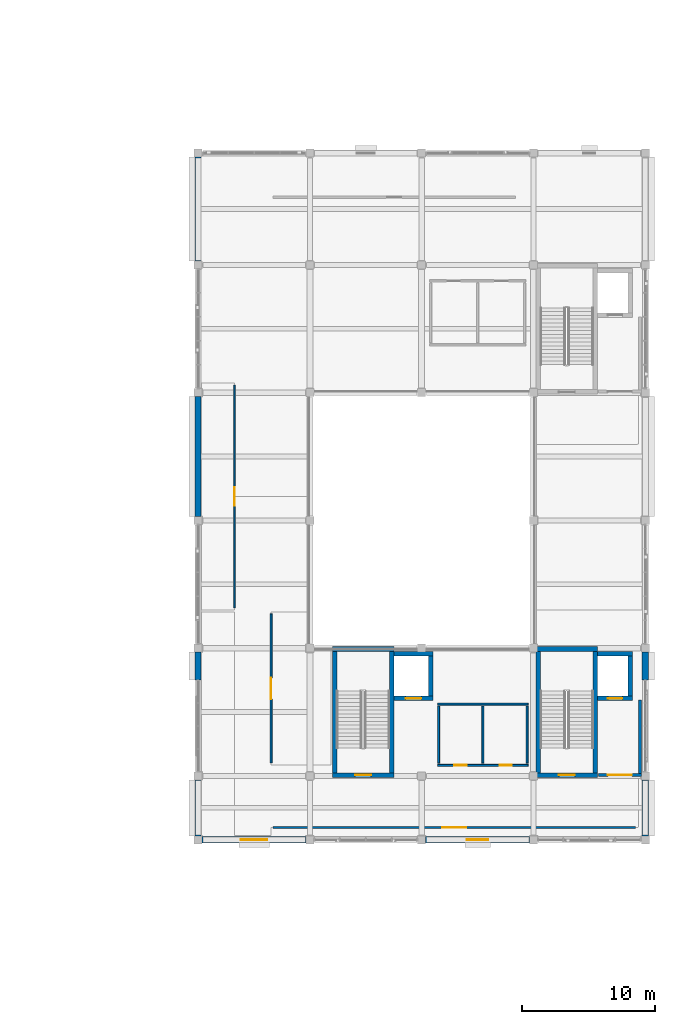
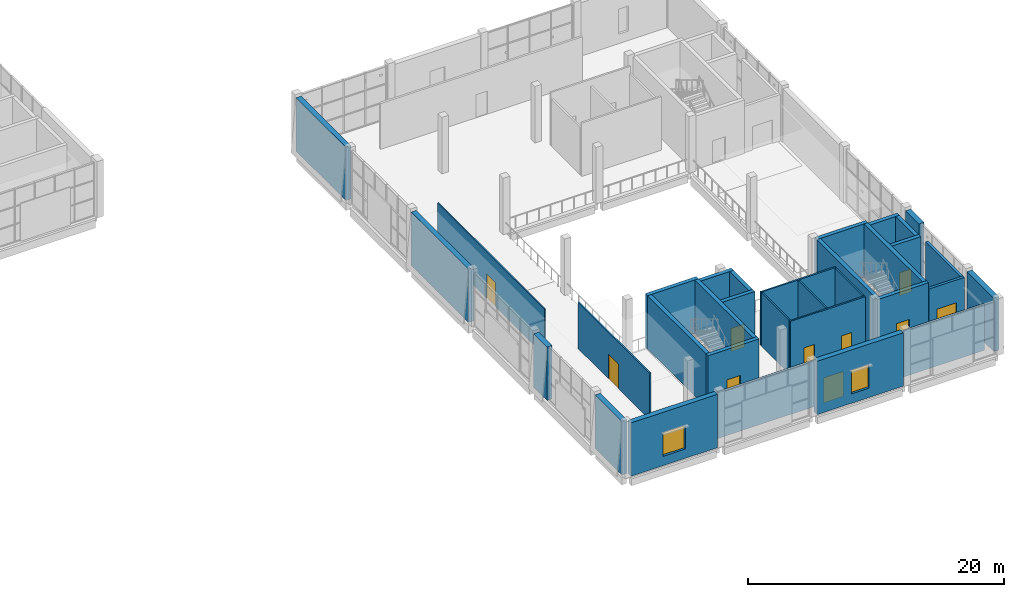
# One storey, part 43 of 57: 32 walls, 10 doors, 2 windows, 12 openings.
"""IFC4 building model written with IfcOpenShell, lengths in metres."""

from ifc_helpers import new_model, si_unit, direction, frame, frame_2d, origin, place, context, subcontext, project, spatial, rectangle, extrude, material, layer, layer_set, type_object, element, fill, save


model = new_model("IFC4")

# Units and contexts
model_context = context("Model", 3, precision=1e-05, world=origin(), true_north=direction((0.0, 1.0)))
body_context = subcontext(model_context, "Body", "Model", "MODEL_VIEW")
ifc_project = project(units=[si_unit("LENGTHUNIT", "METRE"), si_unit("AREAUNIT", "SQUARE_METRE"), si_unit("VOLUMEUNIT", "CUBIC_METRE"), si_unit("PLANEANGLEUNIT", "RADIAN"), si_unit("MASSUNIT", "GRAM", prefix="KILO")], contexts=[model_context])

# Site, building, storey
site_placement = place(None, origin())
site = spatial("IfcSite", under=ifc_project, at=site_placement, CompositionType="ELEMENT")
building_placement = place(site_placement, origin())
building = spatial("IfcBuilding", under=site, at=building_placement, Name="Shalvenor Court Art Gallery", CompositionType="ELEMENT")
storey_placement = place(building_placement, frame((0.0, 0.0, 16.800048828125)))
storey = spatial("IfcBuildingStorey", under=building, at=storey_placement, Name="L03", CompositionType="ELEMENT", Elevation=16.800048828125)

# Walls
ifc_material_1 = material(Name="Concrete C40/50", Category="concrete")
ifc_layer_1 = layer(ifc_material_1, 0.35009765625, Name="Concrete C40/50")
ifc_layer_set_1 = layer_set([ifc_layer_1], Name="Concrete C40/50")
wall_type_1 = type_object("IfcWallType", Name="CW-W1", PredefinedType="SHEAR", material=ifc_layer_set_1)
wall_1_placement = place(storey_placement, frame((168.18798828125, 59.93701171875, 0.0), z_axis=(0.0, 0.0, 1.0), x_axis=(1.0, 0.0, 0.0)))
element("IfcWall", 1, at=wall_1_placement, inside=storey, type_object=wall_type_1, Name="L03 C2 Stair Core Shear Wall N", PredefinedType="SHEAR", context=body_context, shape_type="SweptSolid", body=[
    extrude(rectangle(XDim=4.6240234375, YDim=0.35009765625, at=frame_2d((2.31201171875, 0.0))), origin(), (0.0, 0.0, 1.0), 5.099853515625),
])
wall_2_placement = place(storey_placement, frame((172.636962890625, 59.761962890625, 0.0), z_axis=(0.0, 0.0, 1.0), x_axis=(0.0, -1.0, 0.0)))
element("IfcWall", 2, at=wall_2_placement, inside=storey, type_object=wall_type_1, Name="L03 C2 Stair Core Shear Wall E", PredefinedType="SHEAR", context=body_context, shape_type="SweptSolid", body=[
    extrude(rectangle(XDim=9.1240234375, YDim=0.35009765625, at=frame_2d((4.56201171875, 0.0))), origin(), (0.0, 0.0, 1.0), 5.099853515625),
])

# Wall, opening, door
wall_3_placement = place(storey_placement, frame((172.81201171875, 50.462890625, 0.0), z_axis=(0.0, 0.0, 1.0), x_axis=(-1.0, 0.0, 0.0)))
wall_3 = element("IfcWall", 3, at=wall_3_placement, inside=storey, type_object=wall_type_1, Name="L03 C2 Stair Core Shear Wall S", PredefinedType="SHEAR", context=body_context, shape_type="SweptSolid", body=[
    extrude(rectangle(XDim=4.6240234375, YDim=0.35009765625, at=frame_2d((2.31201171875, 0.0))), origin(), (0.0, 0.0, 1.0), 5.099853515625),
])
opening_1_placement = place(wall_3_placement, frame((1.7119140625, 0.0, 0.0)))
opening_1 = element("IfcOpeningElement", 4, at=opening_1_placement, cuts=wall_3, Name="Opening FD-01", PredefinedType="OPENING", context=body_context, shape_type="SweptSolid", body=[
    extrude(rectangle(XDim=1.199951171875, YDim=2.199951171875, at=frame_2d((0.60009765625, 1.10009765625))), frame((0.0, 0.18505859375, 0.0), z_axis=(0.0, -1.0, 0.0), x_axis=(1.0, 0.0, 0.0)), (0.0, 0.0, 1.0), 0.3701171875),
])
ifc_material_2 = material(Name="Fire-rated steel stair doorset", Category="steel")
door_type_1 = type_object("IfcDoorType", Name="FD-01", OperationType="NOTDEFINED", PredefinedType="DOOR", material=ifc_material_2)
door_1_placement = place(opening_1_placement, origin())
door_1 = element("IfcDoor", 5, at=door_1_placement, inside=storey, type_object=door_type_1, Name="DR-ST-L03-C2 L03 ST-02 Fire Stair Door", OperationType="SINGLE_SWING_LEFT", OverallHeight=2.199951171875, OverallWidth=1.199951171875, PredefinedType="DOOR", context=body_context, shape_type="SweptSolid", body=[
    extrude(rectangle(XDim=1.199951171875, YDim=2.199951171875, at=frame_2d((0.60009765625, 1.10009765625))), frame((0.0, 0.02490234375, 0.0), z_axis=(0.0, -1.0, 0.0), x_axis=(1.0, 0.0, 0.0)), (0.0, 0.0, 1.0), 0.050048828125),
])
fill(opening_1, door_1)

# Walls
wall_4_placement = place(storey_placement, frame((168.363037109375, 50.637939453125, 0.0), z_axis=(0.0, 0.0, 1.0), x_axis=(0.0, 1.0, 0.0)))
element("IfcWall", 6, at=wall_4_placement, inside=storey, type_object=wall_type_1, Name="L03 C2 Stair Core Shear Wall W", PredefinedType="SHEAR", context=body_context, shape_type="SweptSolid", body=[
    extrude(rectangle(XDim=9.1240234375, YDim=0.35009765625, at=frame_2d((4.56201171875, 0.0))), origin(), (0.0, 0.0, 1.0), 5.099853515625),
])
wall_5_placement = place(storey_placement, frame((172.81201171875, 59.574951171875, 0.0), z_axis=(0.0, 0.0, 1.0), x_axis=(1.0, 0.0, 0.0)))
element("IfcWall", 7, at=wall_5_placement, inside=storey, type_object=wall_type_1, Name="L03 FL-02 Lift Shaft Wall N", PredefinedType="SHEAR", context=body_context, shape_type="SweptSolid", body=[
    extrude(rectangle(XDim=2.637939453125, YDim=0.35009765625, at=frame_2d((1.31884765625, 0.0))), origin(), (0.0, 0.0, 1.0), 5.099853515625),
])
wall_6_placement = place(storey_placement, frame((175.27490234375, 59.39990234375, 0.0), z_axis=(0.0, 0.0, 1.0), x_axis=(0.0, -1.0, 0.0)))
element("IfcWall", 8, at=wall_6_placement, inside=storey, type_object=wall_type_1, Name="L03 FL-02 Lift Shaft Wall E", PredefinedType="SHEAR", context=body_context, shape_type="SweptSolid", body=[
    extrude(rectangle(XDim=3.0, YDim=0.35009765625, at=frame_2d((1.5, 0.0))), origin(), (0.0, 0.0, 1.0), 5.099853515625),
])

# Wall, opening, door
wall_7_placement = place(storey_placement, frame((175.449951171875, 56.22509765625, 0.0), z_axis=(0.0, 0.0, 1.0), x_axis=(-1.0, 0.0, 0.0)))
wall_7 = element("IfcWall", 9, at=wall_7_placement, inside=storey, type_object=wall_type_1, Name="L03 FL-02 Lift Shaft Wall S", PredefinedType="SHEAR", context=body_context, shape_type="SweptSolid", body=[
    extrude(rectangle(XDim=2.637939453125, YDim=0.35009765625, at=frame_2d((1.31884765625, 0.0))), origin(), (0.0, 0.0, 1.0), 5.099853515625),
])
opening_2_placement = place(wall_7_placement, frame((0.76904296875, 0.0, 0.0)))
opening_2 = element("IfcOpeningElement", 10, at=opening_2_placement, cuts=wall_7, Name="Opening LD-01", PredefinedType="OPENING", context=body_context, shape_type="SweptSolid", body=[
    extrude(rectangle(XDim=1.10009765625, YDim=2.199951171875, at=frame_2d((0.550048828125, 1.10009765625))), frame((0.0, 0.18505859375, 0.0), z_axis=(0.0, -1.0, 0.0), x_axis=(1.0, 0.0, 0.0)), (0.0, 0.0, 1.0), 0.3701171875),
])
ifc_material_3 = material(Name="Stainless steel firefighting lift sliding landing door", Category="steel")
door_type_2 = type_object("IfcDoorType", Name="LD-01", OperationType="NOTDEFINED", PredefinedType="DOOR", material=ifc_material_3)
door_2_placement = place(opening_2_placement, origin())
door_2 = element("IfcDoor", 11, at=door_2_placement, inside=storey, type_object=door_type_2, Name="DR-LD-L03-FL-02 L03 FL-02 Lift Landing Sliding Door", OperationType="DOUBLE_DOOR_SLIDING", OverallHeight=2.199951171875, OverallWidth=1.10009765625, PredefinedType="DOOR", context=body_context, shape_type="SweptSolid", body=[
    extrude(rectangle(XDim=1.10009765625, YDim=2.199951171875, at=frame_2d((0.550048828125, 1.10009765625))), frame((0.0, 0.02490234375, 0.0), z_axis=(0.0, -1.0, 0.0), x_axis=(1.0, 0.0, 0.0)), (0.0, 0.0, 1.0), 0.050048828125),
])
fill(opening_2, door_2)

# Walls
wall_8_placement = place(storey_placement, frame((152.887939453125, 59.93701171875, 0.0), z_axis=(0.0, 0.0, 1.0), x_axis=(1.0, 0.0, 0.0)))
element("IfcWall", 12, at=wall_8_placement, inside=storey, type_object=wall_type_1, Name="L03 C3 Stair Core Shear Wall N", PredefinedType="SHEAR", context=body_context, shape_type="SweptSolid", body=[
    extrude(rectangle(XDim=4.6240234375, YDim=0.35009765625, at=frame_2d((2.31201171875, 0.0))), origin(), (0.0, 0.0, 1.0), 5.099853515625),
])
wall_9_placement = place(storey_placement, frame((157.3369140625, 59.761962890625, 0.0), z_axis=(0.0, 0.0, 1.0), x_axis=(0.0, -1.0, 0.0)))
element("IfcWall", 13, at=wall_9_placement, inside=storey, type_object=wall_type_1, Name="L03 C3 Stair Core Shear Wall E", PredefinedType="SHEAR", context=body_context, shape_type="SweptSolid", body=[
    extrude(rectangle(XDim=9.1240234375, YDim=0.35009765625, at=frame_2d((4.56201171875, 0.0))), origin(), (0.0, 0.0, 1.0), 5.099853515625),
])

# Wall, opening, door
wall_10_placement = place(storey_placement, frame((157.511962890625, 50.462890625, 0.0), z_axis=(0.0, 0.0, 1.0), x_axis=(-1.0, 0.0, 0.0)))
wall_10 = element("IfcWall", 14, at=wall_10_placement, inside=storey, type_object=wall_type_1, Name="L03 C3 Stair Core Shear Wall S", PredefinedType="SHEAR", context=body_context, shape_type="SweptSolid", body=[
    extrude(rectangle(XDim=4.6240234375, YDim=0.35009765625, at=frame_2d((2.31201171875, 0.0))), origin(), (0.0, 0.0, 1.0), 5.099853515625),
])
opening_3_placement = place(wall_10_placement, frame((1.7119140625, 0.0, 0.0)))
opening_3 = element("IfcOpeningElement", 15, at=opening_3_placement, cuts=wall_10, Name="Opening FD-01", PredefinedType="OPENING", context=body_context, shape_type="SweptSolid", body=[
    extrude(rectangle(XDim=1.199951171875, YDim=2.199951171875, at=frame_2d((0.60009765625, 1.10009765625))), frame((0.0, 0.18505859375, 0.0), z_axis=(0.0, -1.0, 0.0), x_axis=(1.0, 0.0, 0.0)), (0.0, 0.0, 1.0), 0.3701171875),
])
door_3_placement = place(opening_3_placement, origin())
door_3 = element("IfcDoor", 16, at=door_3_placement, inside=storey, type_object=door_type_1, Name="DR-ST-L03-C3 L03 ST-03 Fire Stair Door", OperationType="SINGLE_SWING_RIGHT", OverallHeight=2.199951171875, OverallWidth=1.199951171875, PredefinedType="DOOR", context=body_context, shape_type="SweptSolid", body=[
    extrude(rectangle(XDim=1.199951171875, YDim=2.199951171875, at=frame_2d((0.60009765625, 1.10009765625))), frame((0.0, 0.02490234375, 0.0), z_axis=(0.0, -1.0, 0.0), x_axis=(1.0, 0.0, 0.0)), (0.0, 0.0, 1.0), 0.050048828125),
])
fill(opening_3, door_3)

# Walls
wall_11_placement = place(storey_placement, frame((153.06298828125, 50.637939453125, 0.0), z_axis=(0.0, 0.0, 1.0), x_axis=(0.0, 1.0, 0.0)))
element("IfcWall", 17, at=wall_11_placement, inside=storey, type_object=wall_type_1, Name="L03 C3 Stair Core Shear Wall W", PredefinedType="SHEAR", context=body_context, shape_type="SweptSolid", body=[
    extrude(rectangle(XDim=9.1240234375, YDim=0.35009765625, at=frame_2d((4.56201171875, 0.0))), origin(), (0.0, 0.0, 1.0), 5.099853515625),
])
wall_12_placement = place(storey_placement, frame((157.511962890625, 59.574951171875, 0.0), z_axis=(0.0, 0.0, 1.0), x_axis=(1.0, 0.0, 0.0)))
element("IfcWall", 18, at=wall_12_placement, inside=storey, type_object=wall_type_1, Name="L03 PL-01 Lift Shaft Wall N", PredefinedType="SHEAR", context=body_context, shape_type="SweptSolid", body=[
    extrude(rectangle(XDim=2.93798828125, YDim=0.35009765625, at=frame_2d((1.468994140625, 0.0))), origin(), (0.0, 0.0, 1.0), 5.099853515625),
])
wall_13_placement = place(storey_placement, frame((160.27490234375, 59.39990234375, 0.0), z_axis=(0.0, 0.0, 1.0), x_axis=(0.0, -1.0, 0.0)))
element("IfcWall", 19, at=wall_13_placement, inside=storey, type_object=wall_type_1, Name="L03 PL-01 Lift Shaft Wall E", PredefinedType="SHEAR", context=body_context, shape_type="SweptSolid", body=[
    extrude(rectangle(XDim=3.0, YDim=0.35009765625, at=frame_2d((1.5, 0.0))), origin(), (0.0, 0.0, 1.0), 5.099853515625),
])

# Wall, opening, door
wall_14_placement = place(storey_placement, frame((160.449951171875, 56.22509765625, 0.0), z_axis=(0.0, 0.0, 1.0), x_axis=(-1.0, 0.0, 0.0)))
wall_14 = element("IfcWall", 20, at=wall_14_placement, inside=storey, type_object=wall_type_1, Name="L03 PL-01 Lift Shaft Wall S", PredefinedType="SHEAR", context=body_context, shape_type="SweptSolid", body=[
    extrude(rectangle(XDim=2.93798828125, YDim=0.35009765625, at=frame_2d((1.468994140625, 0.0))), origin(), (0.0, 0.0, 1.0), 5.099853515625),
])
opening_4_placement = place(wall_14_placement, frame((0.868896484375, 0.0, 0.0)))
opening_4 = element("IfcOpeningElement", 21, at=opening_4_placement, cuts=wall_14, Name="Opening LD-02", PredefinedType="OPENING", context=body_context, shape_type="SweptSolid", body=[
    extrude(rectangle(XDim=1.199951171875, YDim=2.199951171875, at=frame_2d((0.60009765625, 1.10009765625))), frame((0.0, 0.18505859375, 0.0), z_axis=(0.0, -1.0, 0.0), x_axis=(1.0, 0.0, 0.0)), (0.0, 0.0, 1.0), 0.3701171875),
])
ifc_material_4 = material(Name="Brushed stainless passenger lift sliding landing door", Category="steel")
door_type_3 = type_object("IfcDoorType", Name="LD-02", OperationType="NOTDEFINED", PredefinedType="DOOR", material=ifc_material_4)
door_4_placement = place(opening_4_placement, origin())
door_4 = element("IfcDoor", 22, at=door_4_placement, inside=storey, type_object=door_type_3, Name="DR-LD-L03-PL-01 L03 PL-01 Lift Landing Sliding Door", OperationType="DOUBLE_DOOR_SLIDING", OverallHeight=2.199951171875, OverallWidth=1.199951171875, PredefinedType="DOOR", context=body_context, shape_type="SweptSolid", body=[
    extrude(rectangle(XDim=1.199951171875, YDim=2.199951171875, at=frame_2d((0.60009765625, 1.10009765625))), frame((0.0, 0.02490234375, 0.0), z_axis=(0.0, -1.0, 0.0), x_axis=(1.0, 0.0, 0.0)), (0.0, 0.0, 1.0), 0.050048828125),
])
fill(opening_4, door_4)

# Walls
ifc_material_5 = material(Name="Concrete C40/50", Category="concrete")
ifc_layer_2 = layer(ifc_material_5, 0.4599609375, Name="Concrete C40/50")
ifc_layer_set_2 = layer_set([ifc_layer_2], Name="Concrete C40/50")
wall_type_2 = type_object("IfcWallType", Name="EW-01", PredefinedType="SOLIDWALL", material=ifc_layer_set_2)
wall_15_placement = place(storey_placement, frame((176.39990234375, 59.699951171875, 0.0), z_axis=(0.0, 0.0, 1.0), x_axis=(0.0, -1.0, 0.0)))
element("IfcWall", 23, at=wall_15_placement, inside=storey, type_object=wall_type_2, Name="L03 V1 Exterior Wall WL-L03-0078", PredefinedType="SOLIDWALL", context=body_context, shape_type="SweptSolid", body=[
    extrude(rectangle(XDim=2.099853515625, YDim=0.4599609375, at=frame_2d((1.0498046875, 0.0))), origin(), (0.0, 0.0, 1.0), 5.099853515625),
])
wall_16_placement = place(storey_placement, frame((176.39990234375, 50.10009765625, 0.0), z_axis=(0.0, 0.0, 1.0), x_axis=(0.0, -1.0, 0.0)))
element("IfcWall", 24, at=wall_16_placement, inside=storey, type_object=wall_type_2, Name="L03 V1 Exterior Wall WL-L03-0079", PredefinedType="SOLIDWALL", context=body_context, shape_type="SweptSolid", body=[
    extrude(rectangle(XDim=4.2001953125, YDim=0.4599609375, at=frame_2d((2.10009765625, 0.0))), origin(), (0.0, 0.0, 1.0), 5.099853515625),
])

# Wall, opening, window
wall_17_placement = place(storey_placement, frame((167.699951171875, 45.60009765625, 0.0), z_axis=(0.0, 0.0, 1.0), x_axis=(-1.0, 0.0, 0.0)))
wall_17 = element("IfcWall", 25, at=wall_17_placement, inside=storey, type_object=wall_type_2, Name="L03 V1 Exterior Wall WL-L03-0080", PredefinedType="SOLIDWALL", context=body_context, shape_type="SweptSolid", body=[
    extrude(rectangle(XDim=7.800048828125, YDim=0.4599609375, at=frame_2d((3.89990234375, 0.0))), origin(), (0.0, 0.0, 1.0), 5.099853515625),
])
opening_5_placement = place(wall_17_placement, frame((3.10009765625, 0.0, 0.89990234375)))
opening_5 = element("IfcOpeningElement", 26, at=opening_5_placement, cuts=wall_17, Name="Opening WN-15", PredefinedType="OPENING", context=body_context, shape_type="SweptSolid", body=[
    extrude(rectangle(XDim=1.60009765625, YDim=2.25, at=frame_2d((0.800048828125, 1.125))), frame((0.0, 0.239990234375, 0.0), z_axis=(0.0, -1.0, 0.0), x_axis=(1.0, 0.0, 0.0)), (0.0, 0.0, 1.0), 0.47998046875),
])
ifc_material_6 = material(Name="Low-iron solar-control double IGU", Category="glass")
window_type_1 = type_object("IfcWindowType", Name="WN-15", PartitioningType="SINGLE_PANEL", PredefinedType="WINDOW", material=ifc_material_6)
window_1_placement = place(opening_5_placement, origin())
window_1 = element("IfcWindow", 27, at=window_1_placement, inside=storey, type_object=window_type_1, Name="L03 Window WIN-L03-0015", OverallHeight=2.25, OverallWidth=1.60009765625, PartitioningType="SINGLE_PANEL", PredefinedType="WINDOW", context=body_context, shape_type="SweptSolid", body=[
    extrude(rectangle(XDim=1.60009765625, YDim=2.25, at=frame_2d((0.800048828125, 1.125))), frame((0.0, 0.030029296875, 0.0), z_axis=(0.0, -1.0, 0.0), x_axis=(1.0, 0.0, 0.0)), (0.0, 0.0, 1.0), 0.06005859375),
])
fill(opening_5, window_1)

wall_18_placement = place(storey_placement, frame((150.89990234375, 45.60009765625, 0.0), z_axis=(0.0, 0.0, 1.0), x_axis=(-1.0, 0.0, 0.0)))
wall_18 = element("IfcWall", 28, at=wall_18_placement, inside=storey, type_object=wall_type_2, Name="L03 V1 Exterior Wall WL-L03-0081", PredefinedType="SOLIDWALL", context=body_context, shape_type="SweptSolid", body=[
    extrude(rectangle(XDim=7.7998046875, YDim=0.4599609375, at=frame_2d((3.89990234375, 0.0))), origin(), (0.0, 0.0, 1.0), 5.099853515625),
])
opening_6_placement = place(wall_18_placement, frame((2.89990234375, 0.0, 0.89990234375)))
opening_6 = element("IfcOpeningElement", 29, at=opening_6_placement, cuts=wall_18, Name="Opening WN-16", PredefinedType="OPENING", context=body_context, shape_type="SweptSolid", body=[
    extrude(rectangle(XDim=2.0, YDim=2.25, at=frame_2d((1.0, 1.125))), frame((0.0, 0.239990234375, 0.0), z_axis=(0.0, -1.0, 0.0), x_axis=(1.0, 0.0, 0.0)), (0.0, 0.0, 1.0), 0.47998046875),
])
ifc_material_7 = material(Name="Low-iron solar-control double IGU", Category="glass")
window_type_2 = type_object("IfcWindowType", Name="WN-16", PartitioningType="SINGLE_PANEL", PredefinedType="WINDOW", material=ifc_material_7)
window_2_placement = place(opening_6_placement, origin())
window_2 = element("IfcWindow", 30, at=window_2_placement, inside=storey, type_object=window_type_2, Name="L03 Window WIN-L03-0016", OverallHeight=2.25, OverallWidth=2.0, PartitioningType="SINGLE_PANEL", PredefinedType="WINDOW", context=body_context, shape_type="SweptSolid", body=[
    extrude(rectangle(XDim=2.0, YDim=2.25, at=frame_2d((1.0, 1.125))), frame((0.0, 0.030029296875, 0.0), z_axis=(0.0, -1.0, 0.0), x_axis=(1.0, 0.0, 0.0)), (0.0, 0.0, 1.0), 0.06005859375),
])
fill(opening_6, window_2)

# Walls
wall_19_placement = place(storey_placement, frame((142.800048828125, 45.89990234375, 0.0), z_axis=(0.0, 0.0, 1.0), x_axis=(0.0, 1.0, 0.0)))
element("IfcWall", 31, at=wall_19_placement, inside=storey, type_object=wall_type_2, Name="L03 V1 Exterior Wall WL-L03-0082", PredefinedType="SOLIDWALL", context=body_context, shape_type="SweptSolid", body=[
    extrude(rectangle(XDim=4.2001953125, YDim=0.4599609375, at=frame_2d((2.10009765625, 0.0))), origin(), (0.0, 0.0, 1.0), 5.099853515625),
])
wall_20_placement = place(storey_placement, frame((142.800048828125, 57.60009765625, 0.0), z_axis=(0.0, 0.0, 1.0), x_axis=(0.0, 1.0, 0.0)))
element("IfcWall", 32, at=wall_20_placement, inside=storey, type_object=wall_type_2, Name="L03 V1 Exterior Wall WL-L03-0083", PredefinedType="SOLIDWALL", context=body_context, shape_type="SweptSolid", body=[
    extrude(rectangle(XDim=2.099853515625, YDim=0.4599609375, at=frame_2d((1.0498046875, 0.0))), origin(), (0.0, 0.0, 1.0), 5.099853515625),
])
wall_21_placement = place(storey_placement, frame((142.800048828125, 69.89990234375, 0.0), z_axis=(0.0, 0.0, 1.0), x_axis=(0.0, 1.0, 0.0)))
element("IfcWall", 33, at=wall_21_placement, inside=storey, type_object=wall_type_2, Name="L03 V1 Exterior Wall WL-L03-0084", PredefinedType="SOLIDWALL", context=body_context, shape_type="SweptSolid", body=[
    extrude(rectangle(XDim=9.0, YDim=0.4599609375, at=frame_2d((4.5, 0.0))), origin(), (0.0, 0.0, 1.0), 5.099853515625),
])
wall_22_placement = place(storey_placement, frame((142.800048828125, 89.10009765625, 0.0), z_axis=(0.0, 0.0, 1.0), x_axis=(0.0, 1.0, 0.0)))
element("IfcWall", 34, at=wall_22_placement, inside=storey, type_object=wall_type_2, Name="L03 V1 Exterior Wall WL-L03-0085", PredefinedType="SOLIDWALL", context=body_context, shape_type="SweptSolid", body=[
    extrude(rectangle(XDim=7.7998046875, YDim=0.4599609375, at=frame_2d((3.89990234375, 0.0))), origin(), (0.0, 0.0, 1.0), 5.099853515625),
])
ifc_material_8 = material(Name="Concrete blockwork fire wall", Category="masonry")
ifc_layer_3 = layer(ifc_material_8, 0.239990234375, Name="Concrete blockwork fire wall")
ifc_layer_set_3 = layer_set([ifc_layer_3], Name="Concrete blockwork fire wall")
wall_type_3 = type_object("IfcWallType", Name="FW-01", PredefinedType="PARTITIONING", material=ifc_layer_set_3)
wall_23_placement = place(storey_placement, frame((176.0, 56.10009765625, 0.0), z_axis=(0.0, 0.0, 1.0), x_axis=(0.0, -1.0, 0.0)))
element("IfcWall", 35, at=wall_23_placement, inside=storey, type_object=wall_type_3, Name="L03 C2 Firefighting Lobby Wall E", PredefinedType="PARTITIONING", context=body_context, shape_type="SweptSolid", body=[
    extrude(rectangle(XDim=5.5, YDim=0.239990234375, at=frame_2d((2.75, 0.0))), origin(), (0.0, 0.0, 1.0), 4.425048828125),
])

# Wall, opening, door
wall_24_placement = place(storey_placement, frame((176.1201171875, 50.47998046875, 0.0), z_axis=(0.0, 0.0, 1.0), x_axis=(-1.0, 0.0, 0.0)))
wall_24 = element("IfcWall", 36, at=wall_24_placement, inside=storey, type_object=wall_type_3, Name="L03 C2 Firefighting Lobby Wall S", PredefinedType="PARTITIONING", context=body_context, shape_type="SweptSolid", body=[
    extrude(rectangle(XDim=3.25, YDim=0.239990234375, at=frame_2d((1.625, 0.0))), origin(), (0.0, 0.0, 1.0), 4.425048828125),
])
opening_7_placement = place(wall_24_placement, frame((0.72509765625, 0.0, 0.0)))
opening_7 = element("IfcOpeningElement", 37, at=opening_7_placement, cuts=wall_24, Name="Opening FD-02", PredefinedType="OPENING", context=body_context, shape_type="SweptSolid", body=[
    extrude(rectangle(XDim=1.800048828125, YDim=2.25, at=frame_2d((0.89990234375, 1.125))), frame((0.0, 0.1298828125, 0.0), z_axis=(0.0, -1.0, 0.0), x_axis=(1.0, 0.0, 0.0)), (0.0, 0.0, 1.0), 0.260009765625),
])
ifc_material_9 = material(Name="Fire-rated double lobby doorset", Category="steel")
door_type_4 = type_object("IfcDoorType", Name="FD-02", OperationType="NOTDEFINED", PredefinedType="DOOR", material=ifc_material_9)
door_5_placement = place(opening_7_placement, origin())
door_5 = element("IfcDoor", 38, at=door_5_placement, inside=storey, type_object=door_type_4, Name="DR-FFL-L03-C2 L03 C2 Firefighting Lobby Double Door", OperationType="DOUBLE_DOOR_SINGLE_SWING", OverallHeight=2.25, OverallWidth=1.800048828125, PredefinedType="DOOR", context=body_context, shape_type="SweptSolid", body=[
    extrude(rectangle(XDim=1.800048828125, YDim=2.25, at=frame_2d((0.89990234375, 1.125))), frame((0.0, 0.02490234375, 0.0), z_axis=(0.0, -1.0, 0.0), x_axis=(1.0, 0.0, 0.0)), (0.0, 0.0, 1.0), 0.050048828125),
])
fill(opening_7, door_5)

ifc_material_10 = material(Name="Double-stud acoustic gallery partition", Category="other")
ifc_layer_4 = layer(ifc_material_10, 0.1650390625, Name="Double-stud acoustic gallery partition")
ifc_layer_set_4 = layer_set([ifc_layer_4], Name="Double-stud acoustic gallery partition")
wall_type_4 = type_object("IfcWallType", Name="PT-02", PredefinedType="PARTITIONING", material=ifc_layer_set_4)
wall_25_placement = place(storey_placement, frame((148.429931640625, 46.52001953125, 0.0), z_axis=(0.0, 0.0, 1.0), x_axis=(1.0, 0.0, 0.0)))
wall_25 = element("IfcWall", 39, at=wall_25_placement, inside=storey, type_object=wall_type_4, Name="L03 Photography Exhibition Gallery Partition 654", PredefinedType="PARTITIONING", context=body_context, shape_type="SweptSolid", body=[
    extrude(rectangle(XDim=27.219970703125, YDim=0.1650390625, at=frame_2d((13.60986328125, 0.0))), origin(), (0.0, 0.0, 1.0), 4.375),
])
opening_8_placement = place(wall_25_placement, frame((12.7099609375, 0.0, 0.0)))
opening_8 = element("IfcOpeningElement", 40, at=opening_8_placement, cuts=wall_25, Name="Opening ID-01", PredefinedType="OPENING", context=body_context, shape_type="SweptSolid", body=[
    extrude(rectangle(XDim=1.800048828125, YDim=2.39990234375, at=frame_2d((0.89990234375, 1.199951171875))), frame((0.0, 0.092529296875, 0.0), z_axis=(0.0, -1.0, 0.0), x_axis=(1.0, 0.0, 0.0)), (0.0, 0.0, 1.0), 0.18505859375),
])
ifc_material_11 = material(Name="Oak-veneered acoustic gallery double doorset", Category="wood")
door_type_5 = type_object("IfcDoorType", Name="ID-01", OperationType="NOTDEFINED", PredefinedType="DOOR", material=ifc_material_11)
door_6_placement = place(opening_8_placement, origin())
door_6 = element("IfcDoor", 41, at=door_6_placement, inside=storey, type_object=door_type_5, Name="DR-RM-L03-0185 L03 Photography Exhibition Gallery Door", OperationType="DOUBLE_DOOR_SINGLE_SWING", OverallHeight=2.39990234375, OverallWidth=1.800048828125, PredefinedType="DOOR", context=body_context, shape_type="SweptSolid", body=[
    extrude(rectangle(XDim=1.800048828125, YDim=2.39990234375, at=frame_2d((0.89990234375, 1.199951171875))), frame((0.0, 0.02490234375, 0.0), z_axis=(0.0, -1.0, 0.0), x_axis=(1.0, 0.0, 0.0)), (0.0, 0.0, 1.0), 0.050048828125),
])
fill(opening_8, door_6)

# Wall, openings, doors
ifc_material_12 = material(Name="Moisture-resistant sanitary partition", Category="other")
ifc_layer_5 = layer(ifc_material_12, 0.14990234375, Name="Moisture-resistant sanitary partition")
ifc_layer_set_5 = layer_set([ifc_layer_5], Name="Moisture-resistant sanitary partition")
wall_type_5 = type_object("IfcWallType", Name="PT-03", PredefinedType="PARTITIONING", material=ifc_layer_set_5)
wall_26_placement = place(storey_placement, frame((167.60009765625, 51.199951171875, 0.0), z_axis=(0.0, 0.0, 1.0), x_axis=(-1.0, 0.0, 0.0)))
wall_26 = element("IfcWall", 42, at=wall_26_placement, inside=storey, type_object=wall_type_5, Name="L03 C2 Restroom Front Partition", PredefinedType="PARTITIONING", context=body_context, shape_type="SweptSolid", body=[
    extrude(rectangle(XDim=6.800048828125, YDim=0.14990234375, at=frame_2d((3.39990234375, 0.0))), origin(), (0.0, 0.0, 1.0), 5.099853515625),
])
opening_9_placement = place(wall_26_placement, frame((1.25, 0.0, 0.0)))
opening_9 = element("IfcOpeningElement", 43, at=opening_9_placement, cuts=wall_26, Name="Opening ID-07", PredefinedType="OPENING", context=body_context, shape_type="SweptSolid", body=[
    extrude(rectangle(XDim=0.89990234375, YDim=2.10009765625, at=frame_2d((0.449951171875, 1.050048828125))), frame((0.0, 0.0849609375, 0.0), z_axis=(0.0, -1.0, 0.0), x_axis=(1.0, 0.0, 0.0)), (0.0, 0.0, 1.0), 0.169921875),
])
opening_10_placement = place(wall_26_placement, frame((4.625, 0.0, 0.0)))
opening_10 = element("IfcOpeningElement", 44, at=opening_10_placement, cuts=wall_26, Name="Opening ID-06", PredefinedType="OPENING", context=body_context, shape_type="SweptSolid", body=[
    extrude(rectangle(XDim=0.949951171875, YDim=2.14990234375, at=frame_2d((0.47509765625, 1.074951171875))), frame((0.0, 0.0849609375, 0.0), z_axis=(0.0, -1.0, 0.0), x_axis=(1.0, 0.0, 0.0)), (0.0, 0.0, 1.0), 0.169921875),
])
ifc_material_13 = material(Name="Accessible restroom doorset", Category="steel")
door_type_6 = type_object("IfcDoorType", Name="ID-06", OperationType="NOTDEFINED", PredefinedType="DOOR", material=ifc_material_13)
door_7_placement = place(opening_10_placement, origin())
door_7 = element("IfcDoor", 45, at=door_7_placement, inside=storey, type_object=door_type_6, Name="DR-AWC-L03-C2-2 L03 C2 Accessible Restroom Door", OperationType="SINGLE_SWING_LEFT", OverallHeight=2.14990234375, OverallWidth=0.949951171875, PredefinedType="DOOR", context=body_context, shape_type="SweptSolid", body=[
    extrude(rectangle(XDim=0.949951171875, YDim=2.14990234375, at=frame_2d((0.47509765625, 1.074951171875))), frame((0.0, 0.02490234375, 0.0), z_axis=(0.0, -1.0, 0.0), x_axis=(1.0, 0.0, 0.0)), (0.0, 0.0, 1.0), 0.050048828125),
])
fill(opening_10, door_7)
ifc_material_14 = material(Name="Restroom timber doorset", Category="wood")
door_type_7 = type_object("IfcDoorType", Name="ID-07", OperationType="NOTDEFINED", PredefinedType="DOOR", material=ifc_material_14)
door_8_placement = place(opening_9_placement, origin())
door_8 = element("IfcDoor", 46, at=door_8_placement, inside=storey, type_object=door_type_7, Name="DR-WC-L03-C2-1 L03 C2 Public Restroom Door", OperationType="SINGLE_SWING_RIGHT", OverallHeight=2.10009765625, OverallWidth=0.89990234375, PredefinedType="DOOR", context=body_context, shape_type="SweptSolid", body=[
    extrude(rectangle(XDim=0.89990234375, YDim=2.10009765625, at=frame_2d((0.449951171875, 1.050048828125))), frame((0.0, 0.02490234375, 0.0), z_axis=(0.0, -1.0, 0.0), x_axis=(1.0, 0.0, 0.0)), (0.0, 0.0, 1.0), 0.050048828125),
])
fill(opening_9, door_8)

# Walls
wall_27_placement = place(storey_placement, frame((160.800048828125, 55.800048828125, 0.0), z_axis=(0.0, 0.0, 1.0), x_axis=(1.0, 0.0, 0.0)))
element("IfcWall", 47, at=wall_27_placement, inside=storey, type_object=wall_type_5, Name="L03 C2 Restroom Back Partition", PredefinedType="PARTITIONING", context=body_context, shape_type="SweptSolid", body=[
    extrude(rectangle(XDim=6.800048828125, YDim=0.14990234375, at=frame_2d((3.39990234375, 0.0))), origin(), (0.0, 0.0, 1.0), 5.099853515625),
])
for number, where, z_axis, x_axis, name in (
    (48, (160.875, 51.360107421875, 0.0), (0.0, 0.0, 1.0), (0.0, 1.0, 0.0), "L03 C2 Restroom Partition L"),
    (49, (164.199951171875, 51.360107421875, 0.0), (0.0, 0.0, 1.0), (0.0, 1.0, 0.0), "L03 C2 Restroom Partition M"),
    (50, (167.52490234375, 51.360107421875, 0.0), (0.0, 0.0, 1.0), (0.0, 1.0, 0.0), "L03 C2 Restroom Partition R"),
):
    element("IfcWall", number, at=place(storey_placement, frame(where, z_axis=z_axis, x_axis=x_axis)), inside=storey, type_object=wall_type_5, Name=name, PredefinedType="PARTITIONING", context=body_context, shape_type="SweptSolid", body=[
        extrude(rectangle(XDim=4.27978515625, YDim=0.14990234375, at=frame_2d((2.139892578125, 0.0))), origin(), (0.0, 0.0, 1.0), 5.099853515625),
    ])

# Wall, opening, door
ifc_material_15 = material(Name="Insulated studio acoustic partition", Category="other")
ifc_layer_6 = layer(ifc_material_15, 0.135009765625, Name="Insulated studio acoustic partition")
ifc_layer_set_6 = layer_set([ifc_layer_6], Name="Insulated studio acoustic partition")
wall_type_6 = type_object("IfcWallType", Name="PT-04", PredefinedType="PARTITIONING", material=ifc_layer_set_6)
wall_28_placement = place(storey_placement, frame((148.280029296875, 51.3798828125, 0.0), z_axis=(0.0, 0.0, 1.0), x_axis=(0.0, 1.0, 0.0)))
wall_28 = element("IfcWall", 51, at=wall_28_placement, inside=storey, type_object=wall_type_6, Name="L03 Photography Exhibition Gallery Wing B Partition 655", PredefinedType="PARTITIONING", context=body_context, shape_type="SweptSolid", body=[
    extrude(rectangle(XDim=11.190185546875, YDim=0.135009765625, at=frame_2d((5.59521484375, 0.0))), origin(), (0.0, 0.0, 1.0), 4.425048828125),
])
opening_11_placement = place(wall_28_placement, frame((4.794921875, 0.0, 0.0)))
opening_11 = element("IfcOpeningElement", 52, at=opening_11_placement, cuts=wall_28, Name="Opening ID-02", PredefinedType="OPENING", context=body_context, shape_type="SweptSolid", body=[
    extrude(rectangle(XDim=1.60009765625, YDim=2.35009765625, at=frame_2d((0.800048828125, 1.175048828125))), frame((0.0, 0.077392578125, 0.0), z_axis=(0.0, -1.0, 0.0), x_axis=(1.0, 0.0, 0.0)), (0.0, 0.0, 1.0), 0.155029296875),
])
ifc_material_16 = material(Name="Oak-veneered gallery double doorset", Category="wood")
door_type_8 = type_object("IfcDoorType", Name="ID-02", OperationType="NOTDEFINED", PredefinedType="DOOR", material=ifc_material_16)
door_9_placement = place(opening_11_placement, origin())
door_9 = element("IfcDoor", 53, at=door_9_placement, inside=storey, type_object=door_type_8, Name="DR-RM-L03-0186 L03 Photography Exhibition Gallery Wing B Door", OperationType="DOUBLE_DOOR_SINGLE_SWING", OverallHeight=2.35009765625, OverallWidth=1.60009765625, PredefinedType="DOOR", context=body_context, shape_type="SweptSolid", body=[
    extrude(rectangle(XDim=1.60009765625, YDim=2.35009765625, at=frame_2d((0.800048828125, 1.175048828125))), frame((0.0, 0.02490234375, 0.0), z_axis=(0.0, -1.0, 0.0), x_axis=(1.0, 0.0, 0.0)), (0.0, 0.0, 1.0), 0.050048828125),
])
fill(opening_11, door_9)

ifc_material_17 = material(Name="Lightweight office gypsum partition", Category="other")
ifc_layer_7 = layer(ifc_material_17, 0.1201171875, Name="Lightweight office gypsum partition")
ifc_layer_set_7 = layer_set([ifc_layer_7], Name="Lightweight office gypsum partition")
wall_type_7 = type_object("IfcWallType", Name="PT-05", PredefinedType="PARTITIONING", material=ifc_layer_set_7)
wall_29_placement = place(storey_placement, frame((145.52001953125, 79.77001953125, 0.0), z_axis=(0.0, 0.0, 1.0), x_axis=(0.0, -1.0, 0.0)))
wall_29 = element("IfcWall", 54, at=wall_29_placement, inside=storey, type_object=wall_type_7, Name="L03 New Media Installation Studio Wing B Partition 656", PredefinedType="PARTITIONING", context=body_context, shape_type="SweptSolid", body=[
    extrude(rectangle(XDim=16.739990234375, YDim=0.1201171875, at=frame_2d((8.3701171875, 0.0))), origin(), (0.0, 0.0, 1.0), 4.425048828125),
])
opening_12_placement = place(wall_29_placement, frame((7.669921875, 0.0, 0.0)))
opening_12 = element("IfcOpeningElement", 55, at=opening_12_placement, cuts=wall_29, Name="Opening ID-03", PredefinedType="OPENING", context=body_context, shape_type="SweptSolid", body=[
    extrude(rectangle(XDim=1.39990234375, YDim=2.300048828125, at=frame_2d((0.699951171875, 1.14990234375))), frame((0.0, 0.070068359375, 0.0), z_axis=(0.0, -1.0, 0.0), x_axis=(1.0, 0.0, 0.0)), (0.0, 0.0, 1.0), 0.14013671875),
])
ifc_material_18 = material(Name="Timber studio double leaf doorset", Category="wood")
door_type_9 = type_object("IfcDoorType", Name="ID-03", OperationType="NOTDEFINED", PredefinedType="DOOR", material=ifc_material_18)
door_10_placement = place(opening_12_placement, origin())
door_10 = element("IfcDoor", 56, at=door_10_placement, inside=storey, type_object=door_type_9, Name="DR-RM-L03-0187 L03 New Media Installation Studio Wing B Door", OperationType="DOUBLE_DOOR_SINGLE_SWING", OverallHeight=2.300048828125, OverallWidth=1.39990234375, PredefinedType="DOOR", context=body_context, shape_type="SweptSolid", body=[
    extrude(rectangle(XDim=1.39990234375, YDim=2.300048828125, at=frame_2d((0.699951171875, 1.14990234375))), frame((0.0, 0.02490234375, 0.0), z_axis=(0.0, -1.0, 0.0), x_axis=(1.0, 0.0, 0.0)), (0.0, 0.0, 1.0), 0.050048828125),
])
fill(opening_12, door_10)

save(model, "model.ifc")
